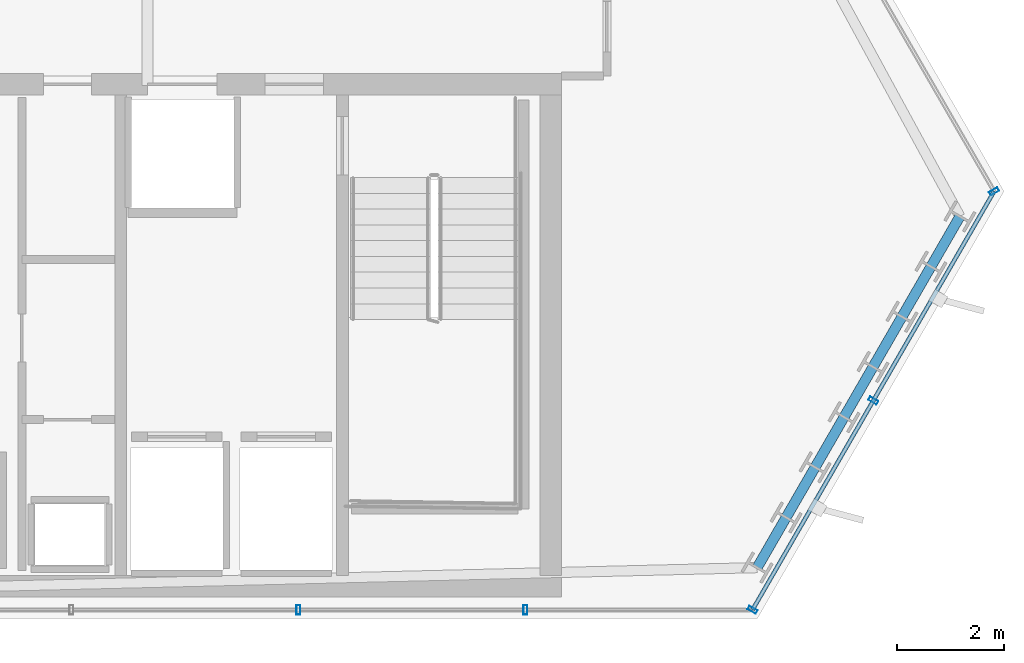
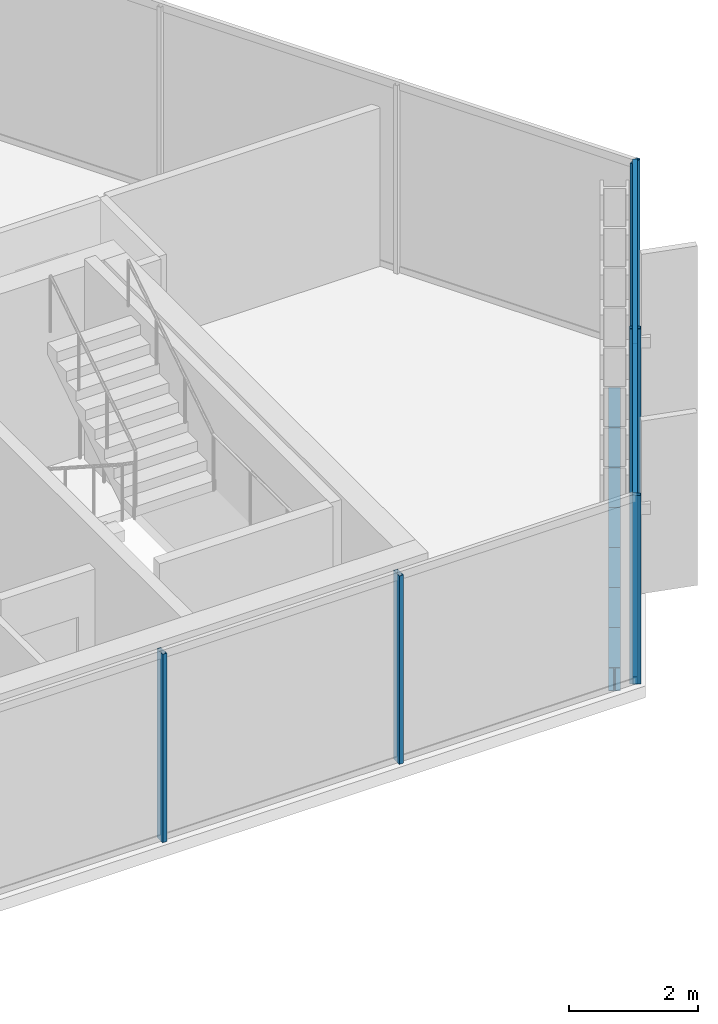
# One storey, part 14 of 34: 7 beams, 7 members, 3 elements without a shape of their own.
"""IFC4 building model written with IfcOpenShell, lengths in metres."""

import ifcopenshell
import ifcopenshell.guid

model = None  # the IFC model being written
_history = None  # IfcOwnerHistory: only IFC2X3 demands one
_inside = {}  # id of a spatial element -> (the spatial element, [elements in it])
_under = {}  # id of a project, library or spatial element -> (it, [spatial elements below it])
_declared = {}  # id of a project -> (the project, [libraries it declares])
_typed = {}  # id of a type object -> (the type object, [elements of that type])
_made_of = {}  # id of a material, layer set ... -> (it, [elements and type objects made of it])


def new_model(schema):
    """Start an empty IFC model of exactly this schema.

    Asked for "IFC4X3", IfcOpenShell would pick the latest addendum, in which some entities
    have other attributes; the version numbers below select the first issue.
    IFC2X3 requires an IfcOwnerHistory on every rooted entity: one is made here for all.
    """
    global model, _history
    if schema == "IFC4X3":
        model = ifcopenshell.file(schema_version=(4, 3, 0, 0))
    else:
        model = ifcopenshell.file(schema=schema)
    _inside.clear()
    _under.clear()
    _declared.clear()
    _typed.clear()
    _made_of.clear()
    _history = None
    if model.schema == "IFC2X3":
        org = make("IfcOrganization", Name="unknown")
        user = make(
            "IfcPersonAndOrganization",
            ThePerson=make("IfcPerson", FamilyName="unknown"),
            TheOrganization=org,
        )
        app = make(
            "IfcApplication",
            ApplicationDeveloper=org,
            Version="unknown",
            ApplicationFullName="unknown",
            ApplicationIdentifier="unknown",
        )
        _history = make(
            "IfcOwnerHistory",
            OwningUser=user,
            OwningApplication=app,
            ChangeAction="ADDED",
            CreationDate=0,
        )
    return model


def make(cls, **values):
    """One entity of the class cls with the attributes given. An attribute that is None is left unset."""
    return model.create_entity(
        cls, **{name: value for name, value in values.items() if value is not None}
    )


def rooted(cls, **values):
    """An entity with a GlobalId (a new one), such as an element, a storey or a relation."""
    return make(cls, GlobalId=ifcopenshell.guid.new(), OwnerHistory=_history, **values)


def si_unit(unit_type, name, prefix=None):
    """IfcSIUnit, for example si_unit("LENGTHUNIT", "METRE", prefix="MILLI")."""
    return make("IfcSIUnit", UnitType=unit_type, Prefix=prefix, Name=name)


def assignment(units):
    """IfcUnitAssignment: the units of a project."""
    return None if units is None else make("IfcUnitAssignment", Units=units)


def point(xyz):
    """IfcCartesianPoint."""
    return None if xyz is None else make("IfcCartesianPoint", Coordinates=xyz)


def direction(xyz):
    """IfcDirection."""
    return None if xyz is None else make("IfcDirection", DirectionRatios=xyz)


def frame(location, z_axis=None, x_axis=None):
    """IfcAxis2Placement3D, a coordinate frame: its origin and axes. An axis left out is left unset."""
    return make(
        "IfcAxis2Placement3D",
        Location=point(location),
        Axis=direction(z_axis),
        RefDirection=direction(x_axis),
    )


def frame_2d(location, x_axis=None):
    """IfcAxis2Placement2D, a coordinate frame in the plane: its origin and x axis."""
    return make(
        "IfcAxis2Placement2D", Location=point(location), RefDirection=direction(x_axis)
    )


def origin():
    """The frame at (0, 0, 0) with its axes left unset."""
    return frame((0.0, 0.0, 0.0))


def origin_2d():
    """The frame at (0, 0) in the plane with its x axis left unset."""
    return frame_2d((0.0, 0.0))


def place(relative_to, where):
    """IfcLocalPlacement: puts the frame where relative to a parent placement (None: the world)."""
    return make(
        "IfcLocalPlacement", PlacementRelTo=relative_to, RelativePlacement=where
    )


def context(
    kind, dimensions, precision=None, world=None, true_north=None, identifier=None
):
    """IfcGeometricRepresentationContext, for example the 3D "Model" context."""
    return make(
        "IfcGeometricRepresentationContext",
        ContextIdentifier=identifier,
        ContextType=kind,
        CoordinateSpaceDimension=dimensions,
        Precision=precision,
        WorldCoordinateSystem=world,
        TrueNorth=true_north,
    )


def subcontext(parent, identifier, kind, view, scale=None):
    """IfcGeometricRepresentationSubContext, for example "Body" below "Model"."""
    return make(
        "IfcGeometricRepresentationSubContext",
        ContextIdentifier=identifier,
        ContextType=kind,
        ParentContext=parent,
        TargetScale=scale,
        TargetView=view,
    )


def project(units=None, contexts=None):
    """IfcProject with its units and contexts."""
    return rooted(
        "IfcProject",
        Name="project",
        RepresentationContexts=contexts,
        UnitsInContext=assignment(units),
    )


def spatial(cls, under=None, at=None, **own):
    """A site, building, storey or space (cls), placed at a placement, below another one or the project."""
    s = rooted(cls, ObjectPlacement=at, **own)
    if under is not None:
        _under.setdefault(under.id(), (under, []))[1].append(s)
    return s


def profile(cls, at=None, kind="AREA", **sizes):
    """A parametric profile (cls). Its sizes go by their IFC names, for example OverallWidth=200.0."""
    return make(cls, ProfileType=kind, Position=at, **sizes)


def hollow_rectangle(**sizes):
    """IfcRectangleHollowProfileDef."""
    return profile("IfcRectangleHollowProfileDef", **sizes)


def i_section(**sizes):
    """IfcIShapeProfileDef."""
    return profile("IfcIShapeProfileDef", **sizes)


def extrude(swept, where, along, depth):
    """IfcExtrudedAreaSolid: the profile swept, set in the frame where, extruded along a direction by depth."""
    return make(
        "IfcExtrudedAreaSolid",
        SweptArea=swept,
        Position=where,
        ExtrudedDirection=direction(along),
        Depth=depth,
    )


def shape(context_of_items, identifier, shape_type, items):
    """IfcShapeRepresentation: the items that make up one representation, for example the "Body"."""
    return make(
        "IfcShapeRepresentation",
        ContextOfItems=context_of_items,
        RepresentationIdentifier=identifier,
        RepresentationType=shape_type,
        Items=items,
    )


def material(Name=None, Category=None):
    """IfcMaterial."""
    return make("IfcMaterial", Name=Name, Category=Category)


def layer(
    of_material, thickness, ventilated=None, Name=None, Category=None, Priority=None
):
    """IfcMaterialLayer: one layer of a wall or slab, of a material (None: an air gap)."""
    return make(
        "IfcMaterialLayer",
        Material=of_material,
        LayerThickness=thickness,
        IsVentilated=ventilated,
        Name=Name,
        Category=Category,
        Priority=Priority,
    )


def layer_set(layers, Name=None):
    """IfcMaterialLayerSet."""
    return make("IfcMaterialLayerSet", MaterialLayers=layers, LayerSetName=Name)


def material_profile(
    of_material, cross_section, Name=None, Category=None, Priority=None
):
    """IfcMaterialProfile: a cross section and its material."""
    return make(
        "IfcMaterialProfile",
        Name=Name,
        Material=of_material,
        Profile=cross_section,
        Priority=Priority,
        Category=Category,
    )


def profile_set(profiles, Name=None, composite=None):
    """IfcMaterialProfileSet."""
    return make(
        "IfcMaterialProfileSet",
        Name=Name,
        MaterialProfiles=profiles,
        CompositeProfile=composite,
    )


def made_of(thing, what):
    """Note that an element or type object is made of a material, layer set ...; save() writes the relation."""
    if what is not None:
        _made_of.setdefault(what.id(), (what, []))[1].append(thing)
    return thing


def type_object(cls, material=None, **own):
    """A type object (cls), such as IfcWallType, which elements share."""
    return made_of(rooted(cls, **own), material)


def element(
    cls,
    number,
    at=None,
    inside=None,
    cuts=None,
    type_object=None,
    material=None,
    context=None,
    identifier="Body",
    shape_type=None,
    held_by="IfcProductDefinitionShape",
    body=None,
    shapes=None,
    **own,
):
    """One element of the class cls, such as IfcWall. Its Tag is "e" and its number.

    at: its placement. inside: the storey or other place that contains it. cuts: it is an
    opening in that element (IfcRelVoidsElement). A single representation is given by context,
    identifier, shape_type and body (its items); several are given by shapes. held_by: the class
    of the entity that holds the representations. save() writes the other relations.
    """
    e = rooted(cls, Tag="e%d" % number, ObjectPlacement=at, **own)
    if body is not None:
        shapes = [shape(context, identifier, shape_type, body)]
    if shapes is not None:
        e.Representation = make(held_by, Representations=shapes)
    if inside is not None:
        _inside.setdefault(inside.id(), (inside, []))[1].append(e)
    if cuts is not None:
        rooted(
            "IfcRelVoidsElement", RelatingBuildingElement=cuts, RelatedOpeningElement=e
        )
    if type_object is not None:
        _typed.setdefault(type_object.id(), (type_object, []))[1].append(e)
    return made_of(e, material)


def aggregate(whole, parts):
    """IfcRelAggregates: a whole, such as a stair, and the parts it consists of."""
    return rooted("IfcRelAggregates", RelatingObject=whole, RelatedObjects=parts)


def save(model, path):
    """Write the relations noted so far, then the file.

    IfcRelAggregates (storeys below a building ...), IfcRelContainedInSpatialStructure (elements
    in a storey), IfcRelDefinesByType, IfcRelAssociatesMaterial and IfcRelDeclares: one each for
    every whole, place, type object, material and project.
    """
    for whole, parts in _under.values():
        aggregate(whole, parts)
    for where, things in _inside.values():
        rooted(
            "IfcRelContainedInSpatialStructure",
            RelatedElements=things,
            RelatingStructure=where,
        )
    for kind, things in _typed.values():
        rooted("IfcRelDefinesByType", RelatedObjects=things, RelatingType=kind)
    for what, things in _made_of.values():
        rooted("IfcRelAssociatesMaterial", RelatedObjects=things, RelatingMaterial=what)
    for by, libraries in _declared.values():
        rooted("IfcRelDeclares", RelatingContext=by, RelatedDefinitions=libraries)
    model.write(path)


model = new_model("IFC4")

# Units and contexts
model_context = context("Model", 3, precision=1e-05, world=origin(), true_north=direction((0.0, 1.0)))
body_context = subcontext(model_context, "Body", "Model", "MODEL_VIEW")
ifc_project = project(units=[si_unit("LENGTHUNIT", "METRE"), si_unit("AREAUNIT", "SQUARE_METRE"), si_unit("VOLUMEUNIT", "CUBIC_METRE"), si_unit("PLANEANGLEUNIT", "RADIAN"), si_unit("MASSUNIT", "GRAM", prefix="KILO")], contexts=[model_context])

# Site, building, storey
site_placement = place(None, origin())
site = spatial("IfcSite", under=ifc_project, at=site_placement, CompositionType="ELEMENT")
building_placement = place(site_placement, origin())
building = spatial("IfcBuilding", under=site, at=building_placement, Name="Ndaravel Arena Tower", CompositionType="ELEMENT")
storey_placement = place(building_placement, frame((0.0, 0.0, 195.39990234375)))
storey = spatial("IfcBuildingStorey", under=building, at=storey_placement, Name="L47", CompositionType="ELEMENT", Elevation=195.39990234375)

# Beams
ifc_material_1 = material(Name="Steel S355", Category="steel")
ifc_material_profile_1 = material_profile(ifc_material_1, i_section(OverallWidth=0.18994140625, OverallDepth=0.449951171875, WebThickness=0.009521484375, FlangeThickness=0.0146484375, FilletRadius=0.02099609375, at=origin_2d()), Name="IPE 450")
ifc_profile_set_1 = profile_set([ifc_material_profile_1], Name="Steel S355")
beam_type = type_object("IfcBeamType", Name="BM-SPAN-IPE450", PredefinedType="SPANDREL", material=ifc_profile_set_1)
beam_1_placement = place(storey_placement, frame((61.215087890625, 5.94970703125, -0.44482421875), z_axis=(0.499988774596, 0.866031884678, 0.0), x_axis=(-0.866031884678, 0.499988774596, 0.0)))
element("IfcBeam", 1, at=beam_1_placement, inside=storey, type_object=beam_type, Name="L47 Perimeter Spandrel Beam SP-02", PredefinedType="SPANDREL", context=body_context, shape_type="SweptSolid", body=[
    extrude(i_section(OverallWidth=0.18994140625, OverallDepth=0.449951171875, WebThickness=0.009521484375, FlangeThickness=0.0146484375, FilletRadius=0.02099609375, at=origin_2d()), origin(), (0.0, 0.0, 1.0), 1.08447265625),
])
beam_2_placement = place(storey_placement, frame((61.75732421875, 6.888916015625, -0.44482421875), z_axis=(0.50015758769, 0.86593440137, 0.0), x_axis=(-0.86593440137, 0.50015758769, 0.0)))
element("IfcBeam", 2, at=beam_2_placement, inside=storey, type_object=beam_type, Name="L47 Perimeter Spandrel Beam SP-03", PredefinedType="SPANDREL", context=body_context, shape_type="SweptSolid", body=[
    extrude(i_section(OverallWidth=0.18994140625, OverallDepth=0.449951171875, WebThickness=0.009521484375, FlangeThickness=0.0146484375, FilletRadius=0.02099609375, at=origin_2d()), origin(), (0.0, 0.0, 1.0), 1.084716796875),
])
beam_3_placement = place(storey_placement, frame((62.2998046875, 7.828125, -0.44482421875), z_axis=(0.499988774596, 0.866031884678, 0.0), x_axis=(-0.866031884678, 0.499988774596, 0.0)))
element("IfcBeam", 3, at=beam_3_placement, inside=storey, type_object=beam_type, Name="L47 Perimeter Spandrel Beam SP-04", PredefinedType="SPANDREL", context=body_context, shape_type="SweptSolid", body=[
    extrude(i_section(OverallWidth=0.18994140625, OverallDepth=0.449951171875, WebThickness=0.009521484375, FlangeThickness=0.0146484375, FilletRadius=0.02099609375, at=origin_2d()), origin(), (0.0, 0.0, 1.0), 1.08447265625),
])
beam_4_placement = place(storey_placement, frame((62.842041015625, 8.767333984375, -0.44482421875), z_axis=(0.499891312606, 0.866088145388, 0.0), x_axis=(-0.866088145388, 0.499891312606, 0.0)))
element("IfcBeam", 4, at=beam_4_placement, inside=storey, type_object=beam_type, Name="L47 Perimeter Spandrel Beam SP-05", PredefinedType="SPANDREL", context=body_context, shape_type="SweptSolid", body=[
    extrude(i_section(OverallWidth=0.18994140625, OverallDepth=0.449951171875, WebThickness=0.009521484375, FlangeThickness=0.0146484375, FilletRadius=0.02099609375, at=origin_2d()), origin(), (0.0, 0.0, 1.0), 1.084716796875),
])
for number, where, z_axis, x_axis, name in (
    (5, (63.38427734375, 9.706787109375, -0.44482421875), (0.499988774596, 0.866031884678, 0.0), (-0.866031884678, 0.499988774596, 0.0), "L47 Perimeter Spandrel Beam SP-06"),
    (6, (63.926513671875, 10.64599609375, -0.44482421875), (0.499988774596, 0.866031884678, 0.0), (-0.866031884678, 0.499988774596, 0.0), "L47 Perimeter Spandrel Beam SP-07"),
    (7, (64.46875, 11.585205078125, -0.44482421875), (0.499988774596, 0.866031884678, 0.0), (-0.866031884678, 0.499988774596, 0.0), "L47 Perimeter Spandrel Beam SP-08"),
):
    element("IfcBeam", number, at=place(storey_placement, frame(where, z_axis=z_axis, x_axis=x_axis)), inside=storey, type_object=beam_type, Name=name, PredefinedType="SPANDREL", context=body_context, shape_type="SweptSolid", body=[
        extrude(i_section(OverallWidth=0.18994140625, OverallDepth=0.449951171875, WebThickness=0.009521484375, FlangeThickness=0.0146484375, FilletRadius=0.02099609375, at=origin_2d()), origin(), (0.0, 0.0, 1.0), 1.08447265625),
    ])

# Curtain wall, members
ifc_material_2 = material(Name="Aluminium", Category="aluminium")
ifc_layer_1 = layer(ifc_material_2, 0.179931640625)
ifc_layer_set_1 = layer_set([ifc_layer_1], Name="Aluminium")
curtain_wall_type_1 = type_object("IfcCurtainWallType", Name="CW-SYS-03", PredefinedType="NOTDEFINED", material=ifc_layer_set_1)
curtain_wall_1_placement = place(storey_placement, origin())
curtain_wall_1 = element("IfcCurtainWall", 8, at=curtain_wall_1_placement, inside=storey, type_object=curtain_wall_type_1, Name="L47 Faceted Crystal Curtain Wall CW-L47-E01", PredefinedType="NOTDEFINED")
ifc_material_3 = material(Name="Aluminium", Category="aluminium")
ifc_material_profile_2 = material_profile(ifc_material_3, hollow_rectangle(XDim=0.074951171875, YDim=0.179931640625, WallThickness=0.00390625, at=origin_2d()), Name="CW MULLION 75x180x4")
ifc_profile_set_2 = profile_set([ifc_material_profile_2], Name="Aluminium")
member_type_1 = type_object("IfcMemberType", Name="MEM-CW-MUL180", PredefinedType="MULLION", material=ifc_profile_set_2)
member_1_placement = place(storey_placement, frame((52.627197265625, 5.159912109375, 0.0), z_axis=(0.0, 0.0, 1.0), x_axis=(1.0, 0.0, 0.0)))
member_1 = element("IfcMember", 9, at=member_1_placement, type_object=member_type_1, Name="CW-L47-E01 Mullion 07", PredefinedType="MULLION", context=body_context, shape_type="SweptSolid", body=[
    extrude(hollow_rectangle(XDim=0.074951171875, YDim=0.179931640625, WallThickness=0.00390625, at=origin_2d()), origin(), (0.0, 0.0, 1.0), 3.580078125),
])
member_2_placement = place(storey_placement, frame((56.8779296875, 5.159912109375, 0.0), z_axis=(0.0, 0.0, 1.0), x_axis=(1.0, 0.0, 0.0)))
member_2 = element("IfcMember", 10, at=member_2_placement, type_object=member_type_1, Name="CW-L47-E01 Mullion 08", PredefinedType="MULLION", context=body_context, shape_type="SweptSolid", body=[
    extrude(hollow_rectangle(XDim=0.074951171875, YDim=0.179931640625, WallThickness=0.00390625, at=origin_2d()), origin(), (0.0, 0.0, 1.0), 3.580078125),
])
aggregate(curtain_wall_1, [member_1, member_2])

ifc_material_4 = material(Name="Aluminium", Category="aluminium")
ifc_layer_2 = layer(ifc_material_4, 0.179931640625)
ifc_layer_set_2 = layer_set([ifc_layer_2], Name="Aluminium")
curtain_wall_type_2 = type_object("IfcCurtainWallType", Name="CW-SYS-01", PredefinedType="NOTDEFINED", material=ifc_layer_set_2)
curtain_wall_2_placement = place(storey_placement, origin())
curtain_wall_2 = element("IfcCurtainWall", 11, at=curtain_wall_2_placement, inside=storey, type_object=curtain_wall_type_2, Name="L47 Faceted Crystal Curtain Wall CW-L47-E02", PredefinedType="NOTDEFINED")
member_3_placement = place(storey_placement, frame((61.128662109375, 5.159912109375, 0.0), z_axis=(0.0, 0.0, 1.0), x_axis=(0.5, 0.866025403784, 0.0)))
member_3 = element("IfcMember", 12, at=member_3_placement, type_object=member_type_1, Name="CW-L47-E02 Mullion 00", PredefinedType="MULLION", context=body_context, shape_type="SweptSolid", body=[
    extrude(hollow_rectangle(XDim=0.074951171875, YDim=0.179931640625, WallThickness=0.00390625, at=origin_2d()), origin(), (0.0, 0.0, 1.0), 3.580078125),
])
member_4_placement = place(storey_placement, frame((63.39013671875, 9.076904296875, 0.0), z_axis=(0.0, 0.0, 1.0), x_axis=(0.5, 0.866025403784, 0.0)))
member_4 = element("IfcMember", 13, at=member_4_placement, type_object=member_type_1, Name="CW-L47-E02 Mullion 01", PredefinedType="MULLION", context=body_context, shape_type="SweptSolid", body=[
    extrude(hollow_rectangle(XDim=0.074951171875, YDim=0.179931640625, WallThickness=0.00390625, at=origin_2d()), origin(), (0.0, 0.0, 1.0), 3.580078125),
])

# Curtain wall, member
curtain_wall_3_placement = place(storey_placement, origin())
curtain_wall_3 = element("IfcCurtainWall", 14, at=curtain_wall_3_placement, inside=storey, type_object=curtain_wall_type_1, Name="L47 Faceted Crystal Curtain Wall CW-L47-E03", PredefinedType="NOTDEFINED")
member_5_placement = place(storey_placement, frame((65.651611328125, 12.994140625, 0.0), z_axis=(0.0, 0.0, 1.0), x_axis=(-0.5, 0.866025403784, 0.0)))
member_5 = element("IfcMember", 15, at=member_5_placement, type_object=member_type_1, Name="CW-L47-E03 Mullion 00", PredefinedType="MULLION", context=body_context, shape_type="SweptSolid", body=[
    extrude(hollow_rectangle(XDim=0.074951171875, YDim=0.179931640625, WallThickness=0.00390625, at=origin_2d()), origin(), (0.0, 0.0, 1.0), 3.580078125),
])
aggregate(curtain_wall_3, [member_5])

# Member
ifc_material_5 = material(Name="Aluminium", Category="aluminium")
ifc_material_profile_3 = material_profile(ifc_material_5, hollow_rectangle(XDim=0.074951171875, YDim=0.14990234375, WallThickness=0.00390625, at=origin_2d()), Name="CW TRANSOM 75x150x4")
ifc_profile_set_3 = profile_set([ifc_material_profile_3], Name="Aluminium")
member_type_2 = type_object("IfcMemberType", Name="MEM-CW-TRN150", PredefinedType="USERDEFINED", material=ifc_profile_set_3)
member_6_placement = place(storey_placement, frame((61.128662109375, 5.159912109375, 0.0400390625), z_axis=(0.49998800113, 0.866032331224, 0.0), x_axis=(-0.866032331224, 0.49998800113, 0.0)))
member_6 = element("IfcMember", 16, at=member_6_placement, type_object=member_type_2, Name="CW-L47-E02 Transom 01", ObjectType="TRANSOM", PredefinedType="USERDEFINED", context=body_context, shape_type="SweptSolid", body=[
    extrude(hollow_rectangle(XDim=0.074951171875, YDim=0.14990234375, WallThickness=0.00390625, at=origin_2d()), origin(), (0.0, 0.0, 1.0), 9.046142578125),
])

member_7_placement = place(storey_placement, frame((61.128662109375, 5.159912109375, 3.5400390625), z_axis=(0.49998800113, 0.866032331224, 0.0), x_axis=(-0.866032331224, 0.49998800113, 0.0)))
member_7 = element("IfcMember", 17, at=member_7_placement, type_object=member_type_2, Name="CW-L47-E02 Transom 02", ObjectType="TRANSOM", PredefinedType="USERDEFINED", context=body_context, shape_type="SweptSolid", body=[
    extrude(hollow_rectangle(XDim=0.074951171875, YDim=0.14990234375, WallThickness=0.00390625, at=origin_2d()), origin(), (0.0, 0.0, 1.0), 9.046142578125),
])

aggregate(curtain_wall_2, [member_3, member_4, member_6, member_7])

save(model, "model.ifc")
